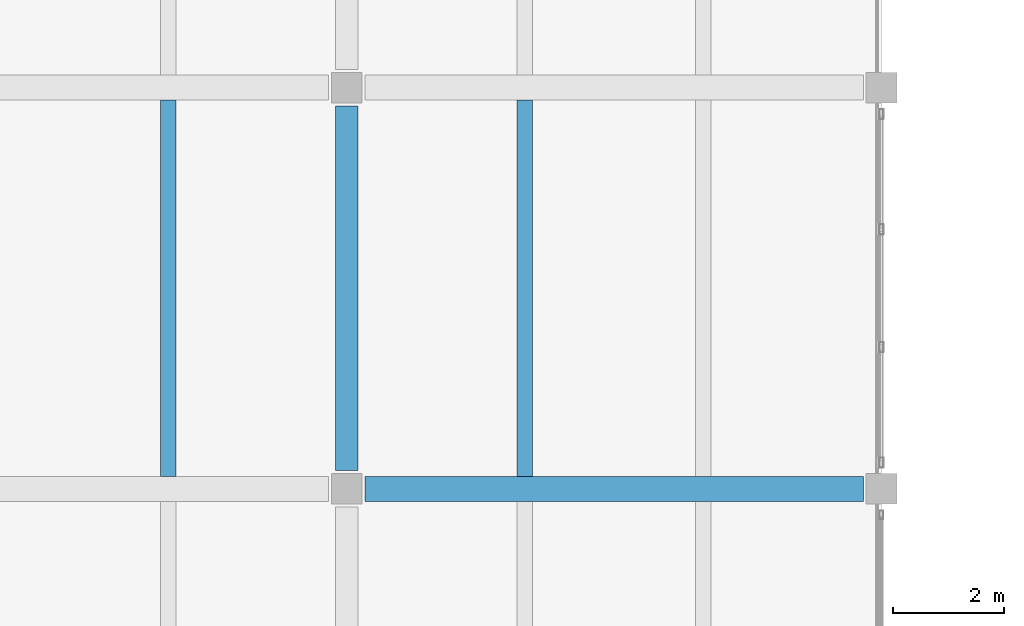
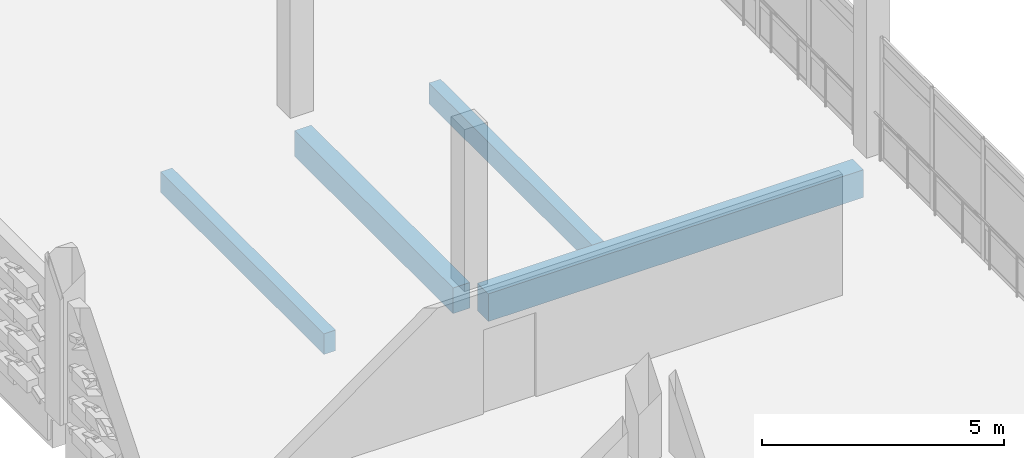
# One storey, part 10 of 72: 4 beams.
"""IFC4 building model written with IfcOpenShell, lengths in metres."""

from ifc_helpers import new_model, si_unit, direction, frame, origin, origin_2d, place, context, subcontext, project, spatial, rectangle, extrude, material, material_profile, profile_set, type_object, element, save


model = new_model("IFC4")

# Units and contexts
model_context = context("Model", 3, precision=1e-05, world=origin(), true_north=direction((0.0, 1.0)))
body_context = subcontext(model_context, "Body", "Model", "MODEL_VIEW")
ifc_project = project(units=[si_unit("LENGTHUNIT", "METRE"), si_unit("AREAUNIT", "SQUARE_METRE"), si_unit("VOLUMEUNIT", "CUBIC_METRE"), si_unit("PLANEANGLEUNIT", "RADIAN"), si_unit("MASSUNIT", "GRAM", prefix="KILO")], contexts=[model_context])

# Site, building, storey
site_placement = place(None, origin())
site = spatial("IfcSite", under=ifc_project, at=site_placement, CompositionType="ELEMENT")
building_placement = place(site_placement, origin())
building = spatial("IfcBuilding", under=site, at=building_placement, Name="Asteropetra Specialist Clinic", CompositionType="ELEMENT")
storey_placement = place(building_placement, frame((0.0, 0.0, 12.580078125)))
storey = spatial("IfcBuildingStorey", under=building, at=storey_placement, Name="L03", CompositionType="ELEMENT", Elevation=12.580078125)

# Beams
ifc_material_1 = material(Name="Concrete C35/45", Category="concrete")
ifc_material_profile_1 = material_profile(ifc_material_1, rectangle(XDim=0.39990234375, YDim=0.64990234375, at=origin_2d()), Name="RCB 400x650")
ifc_profile_set_1 = profile_set([ifc_material_profile_1], Name="Concrete C35/45")
beam_type_1 = type_object("IfcBeamType", Name="BM-RC400x650", PredefinedType="BEAM", material=ifc_profile_set_1)
beam_1_placement = place(storey_placement, frame((115.199951171875, 26.72509765625, -0.625), z_axis=(0.0, 1.0, 0.0), x_axis=(-1.0, 0.0, 0.0)))
element("IfcBeam", 1, at=beam_1_placement, inside=storey, type_object=beam_type_1, Name="Beam BBM07-1532", PredefinedType="BEAM", context=body_context, shape_type="SweptSolid", body=[
    extrude(rectangle(XDim=0.39990234375, YDim=0.64990234375, at=origin_2d()), origin(), (0.0, 0.0, 1.0), 6.5498046875),
])
ifc_material_2 = material(Name="Concrete C35/45", Category="concrete")
ifc_material_profile_2 = material_profile(ifc_material_2, rectangle(XDim=0.449951171875, YDim=0.699951171875, at=origin_2d()), Name="RCB 450x700")
ifc_profile_set_2 = profile_set([ifc_material_profile_2], Name="Concrete C35/45")
beam_type_2 = type_object("IfcBeamType", Name="BM-RC450x700", PredefinedType="BEAM", material=ifc_profile_set_2)
beam_2_placement = place(storey_placement, frame((115.52490234375, 26.39990234375, -0.650146484375), z_axis=(1.0, 0.0, 0.0), x_axis=(0.0, 1.0, 0.0)))
element("IfcBeam", 2, at=beam_2_placement, inside=storey, type_object=beam_type_2, Name="Beam BBM05-1458", PredefinedType="BEAM", context=body_context, shape_type="SweptSolid", body=[
    extrude(rectangle(XDim=0.449951171875, YDim=0.699951171875, at=origin_2d()), origin(), (0.0, 0.0, 1.0), 8.9501953125),
])
ifc_material_3 = material(Name="Concrete C35/45", Category="concrete")
ifc_material_profile_3 = material_profile(ifc_material_3, rectangle(XDim=0.280029296875, YDim=0.52001953125, at=origin_2d()), Name="RCJ 280x520")
ifc_profile_set_3 = profile_set([ifc_material_profile_3], Name="Concrete C35/45")
beam_type_3 = type_object("IfcBeamType", Name="JST-RC280x520", PredefinedType="JOIST", material=ifc_profile_set_3)
for number, where, z_axis, x_axis, name in (
    (3, (112.0, 26.625, -0.56005859375), (0.0, 1.0, 0.0), (-1.0, 0.0, 0.0), "Joist JJST01-1536"),
    (4, (118.39990234375, 26.625, -0.56005859375), (0.0, 1.0, 0.0), (-1.0, 0.0, 0.0), "Joist JJST01-1537"),
):
    element("IfcBeam", number, at=place(storey_placement, frame(where, z_axis=z_axis, x_axis=x_axis)), inside=storey, type_object=beam_type_3, Name=name, PredefinedType="JOIST", context=body_context, shape_type="SweptSolid", body=[
        extrude(rectangle(XDim=0.280029296875, YDim=0.52001953125, at=origin_2d()), origin(), (0.0, 0.0, 1.0), 6.75),
    ])

save(model, "model.ifc")
